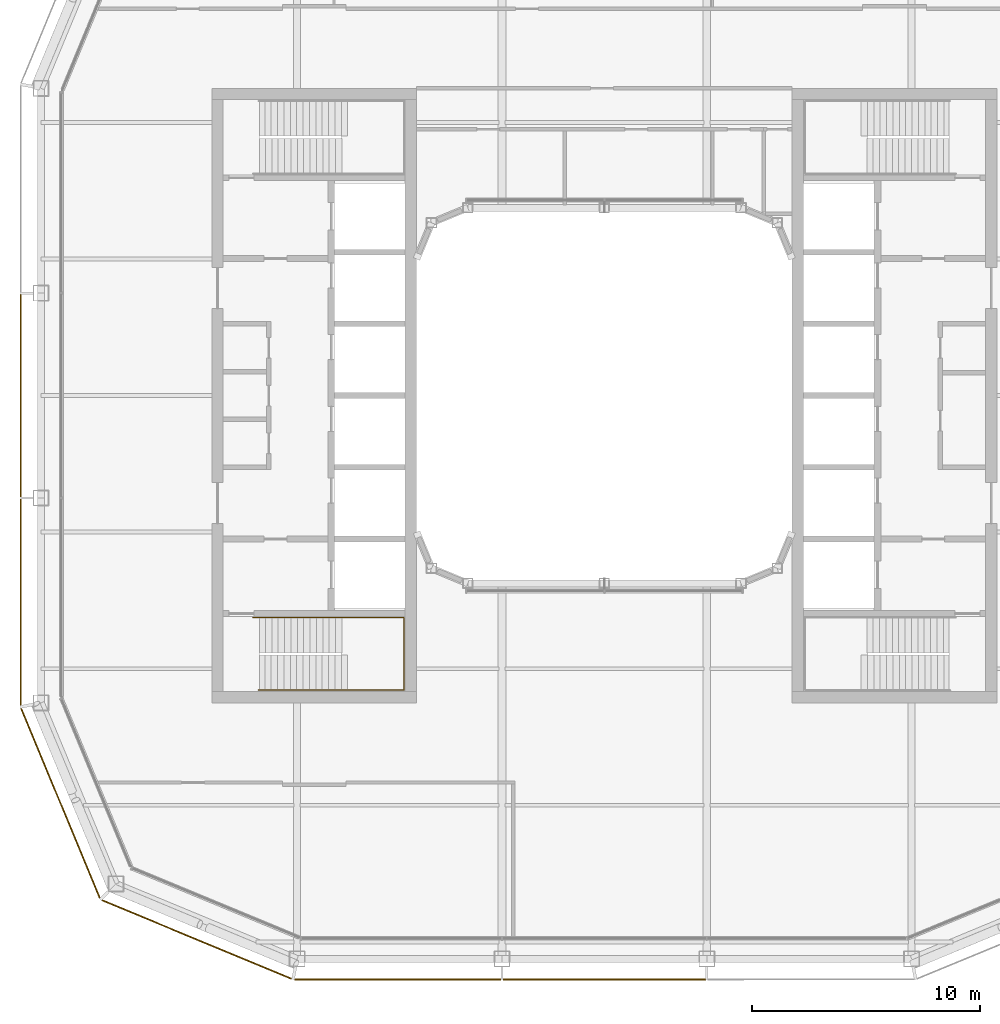
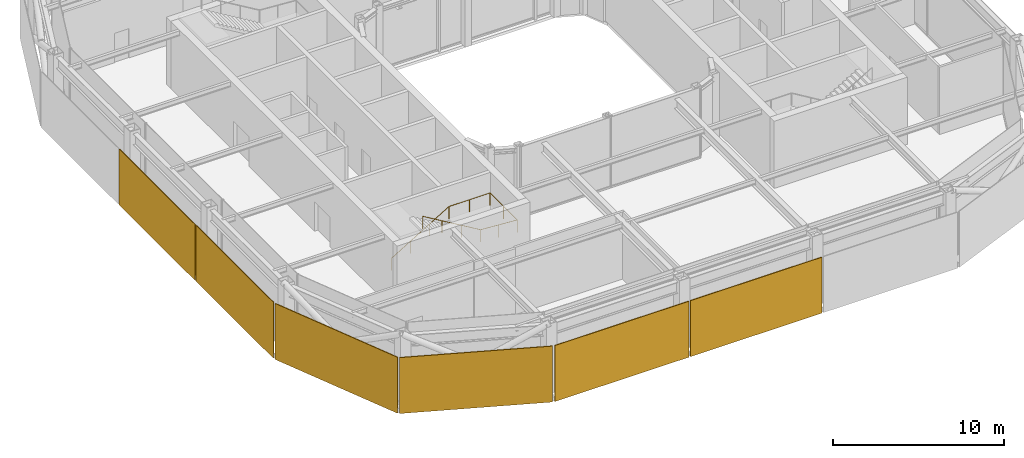
# One storey, part 14 of 17: 6 coverings, 1 railing.
"""IFC4 building model written with IfcOpenShell, lengths in metres."""

import ifcopenshell
import ifcopenshell.guid

model = None  # the IFC model being written
_history = None  # IfcOwnerHistory: only IFC2X3 demands one
_inside = {}  # id of a spatial element -> (the spatial element, [elements in it])
_under = {}  # id of a project, library or spatial element -> (it, [spatial elements below it])
_declared = {}  # id of a project -> (the project, [libraries it declares])
_typed = {}  # id of a type object -> (the type object, [elements of that type])
_made_of = {}  # id of a material, layer set ... -> (it, [elements and type objects made of it])


def new_model(schema):
    """Start an empty IFC model of exactly this schema.

    Asked for "IFC4X3", IfcOpenShell would pick the latest addendum, in which some entities
    have other attributes; the version numbers below select the first issue.
    IFC2X3 requires an IfcOwnerHistory on every rooted entity: one is made here for all.
    """
    global model, _history
    if schema == "IFC4X3":
        model = ifcopenshell.file(schema_version=(4, 3, 0, 0))
    else:
        model = ifcopenshell.file(schema=schema)
    _inside.clear()
    _under.clear()
    _declared.clear()
    _typed.clear()
    _made_of.clear()
    _history = None
    if model.schema == "IFC2X3":
        org = make("IfcOrganization", Name="unknown")
        user = make(
            "IfcPersonAndOrganization",
            ThePerson=make("IfcPerson", FamilyName="unknown"),
            TheOrganization=org,
        )
        app = make(
            "IfcApplication",
            ApplicationDeveloper=org,
            Version="unknown",
            ApplicationFullName="unknown",
            ApplicationIdentifier="unknown",
        )
        _history = make(
            "IfcOwnerHistory",
            OwningUser=user,
            OwningApplication=app,
            ChangeAction="ADDED",
            CreationDate=0,
        )
    return model


def make(cls, **values):
    """One entity of the class cls with the attributes given. An attribute that is None is left unset."""
    return model.create_entity(
        cls, **{name: value for name, value in values.items() if value is not None}
    )


def rooted(cls, **values):
    """An entity with a GlobalId (a new one), such as an element, a storey or a relation."""
    return make(cls, GlobalId=ifcopenshell.guid.new(), OwnerHistory=_history, **values)


def si_unit(unit_type, name, prefix=None):
    """IfcSIUnit, for example si_unit("LENGTHUNIT", "METRE", prefix="MILLI")."""
    return make("IfcSIUnit", UnitType=unit_type, Prefix=prefix, Name=name)


def assignment(units):
    """IfcUnitAssignment: the units of a project."""
    return None if units is None else make("IfcUnitAssignment", Units=units)


def point(xyz):
    """IfcCartesianPoint."""
    return None if xyz is None else make("IfcCartesianPoint", Coordinates=xyz)


def direction(xyz):
    """IfcDirection."""
    return None if xyz is None else make("IfcDirection", DirectionRatios=xyz)


def frame(location, z_axis=None, x_axis=None):
    """IfcAxis2Placement3D, a coordinate frame: its origin and axes. An axis left out is left unset."""
    return make(
        "IfcAxis2Placement3D",
        Location=point(location),
        Axis=direction(z_axis),
        RefDirection=direction(x_axis),
    )


def frame_2d(location, x_axis=None):
    """IfcAxis2Placement2D, a coordinate frame in the plane: its origin and x axis."""
    return make(
        "IfcAxis2Placement2D", Location=point(location), RefDirection=direction(x_axis)
    )


def origin():
    """The frame at (0, 0, 0) with its axes left unset."""
    return frame((0.0, 0.0, 0.0))


def origin_2d():
    """The frame at (0, 0) in the plane with its x axis left unset."""
    return frame_2d((0.0, 0.0))


def place(relative_to, where):
    """IfcLocalPlacement: puts the frame where relative to a parent placement (None: the world)."""
    return make(
        "IfcLocalPlacement", PlacementRelTo=relative_to, RelativePlacement=where
    )


def context(
    kind, dimensions, precision=None, world=None, true_north=None, identifier=None
):
    """IfcGeometricRepresentationContext, for example the 3D "Model" context."""
    return make(
        "IfcGeometricRepresentationContext",
        ContextIdentifier=identifier,
        ContextType=kind,
        CoordinateSpaceDimension=dimensions,
        Precision=precision,
        WorldCoordinateSystem=world,
        TrueNorth=true_north,
    )


def subcontext(parent, identifier, kind, view, scale=None):
    """IfcGeometricRepresentationSubContext, for example "Body" below "Model"."""
    return make(
        "IfcGeometricRepresentationSubContext",
        ContextIdentifier=identifier,
        ContextType=kind,
        ParentContext=parent,
        TargetScale=scale,
        TargetView=view,
    )


def project(units=None, contexts=None):
    """IfcProject with its units and contexts."""
    return rooted(
        "IfcProject",
        Name="project",
        RepresentationContexts=contexts,
        UnitsInContext=assignment(units),
    )


def spatial(cls, under=None, at=None, **own):
    """A site, building, storey or space (cls), placed at a placement, below another one or the project."""
    s = rooted(cls, ObjectPlacement=at, **own)
    if under is not None:
        _under.setdefault(under.id(), (under, []))[1].append(s)
    return s


def profile(cls, at=None, kind="AREA", **sizes):
    """A parametric profile (cls). Its sizes go by their IFC names, for example OverallWidth=200.0."""
    return make(cls, ProfileType=kind, Position=at, **sizes)


def rectangle(**sizes):
    """IfcRectangleProfileDef."""
    return profile("IfcRectangleProfileDef", **sizes)


def circle(**sizes):
    """IfcCircleProfileDef."""
    return profile("IfcCircleProfileDef", **sizes)


def extrude(swept, where, along, depth):
    """IfcExtrudedAreaSolid: the profile swept, set in the frame where, extruded along a direction by depth."""
    return make(
        "IfcExtrudedAreaSolid",
        SweptArea=swept,
        Position=where,
        ExtrudedDirection=direction(along),
        Depth=depth,
    )


def shape(context_of_items, identifier, shape_type, items):
    """IfcShapeRepresentation: the items that make up one representation, for example the "Body"."""
    return make(
        "IfcShapeRepresentation",
        ContextOfItems=context_of_items,
        RepresentationIdentifier=identifier,
        RepresentationType=shape_type,
        Items=items,
    )


def material(Name=None, Category=None):
    """IfcMaterial."""
    return make("IfcMaterial", Name=Name, Category=Category)


def layer(
    of_material, thickness, ventilated=None, Name=None, Category=None, Priority=None
):
    """IfcMaterialLayer: one layer of a wall or slab, of a material (None: an air gap)."""
    return make(
        "IfcMaterialLayer",
        Material=of_material,
        LayerThickness=thickness,
        IsVentilated=ventilated,
        Name=Name,
        Category=Category,
        Priority=Priority,
    )


def layer_set(layers, Name=None):
    """IfcMaterialLayerSet."""
    return make("IfcMaterialLayerSet", MaterialLayers=layers, LayerSetName=Name)


def made_of(thing, what):
    """Note that an element or type object is made of a material, layer set ...; save() writes the relation."""
    if what is not None:
        _made_of.setdefault(what.id(), (what, []))[1].append(thing)
    return thing


def type_object(cls, material=None, **own):
    """A type object (cls), such as IfcWallType, which elements share."""
    return made_of(rooted(cls, **own), material)


def element(
    cls,
    number,
    at=None,
    inside=None,
    cuts=None,
    type_object=None,
    material=None,
    context=None,
    identifier="Body",
    shape_type=None,
    held_by="IfcProductDefinitionShape",
    body=None,
    shapes=None,
    **own,
):
    """One element of the class cls, such as IfcWall. Its Tag is "e" and its number.

    at: its placement. inside: the storey or other place that contains it. cuts: it is an
    opening in that element (IfcRelVoidsElement). A single representation is given by context,
    identifier, shape_type and body (its items); several are given by shapes. held_by: the class
    of the entity that holds the representations. save() writes the other relations.
    """
    e = rooted(cls, Tag="e%d" % number, ObjectPlacement=at, **own)
    if body is not None:
        shapes = [shape(context, identifier, shape_type, body)]
    if shapes is not None:
        e.Representation = make(held_by, Representations=shapes)
    if inside is not None:
        _inside.setdefault(inside.id(), (inside, []))[1].append(e)
    if cuts is not None:
        rooted(
            "IfcRelVoidsElement", RelatingBuildingElement=cuts, RelatedOpeningElement=e
        )
    if type_object is not None:
        _typed.setdefault(type_object.id(), (type_object, []))[1].append(e)
    return made_of(e, material)


def aggregate(whole, parts):
    """IfcRelAggregates: a whole, such as a stair, and the parts it consists of."""
    return rooted("IfcRelAggregates", RelatingObject=whole, RelatedObjects=parts)


def save(model, path):
    """Write the relations noted so far, then the file.

    IfcRelAggregates (storeys below a building ...), IfcRelContainedInSpatialStructure (elements
    in a storey), IfcRelDefinesByType, IfcRelAssociatesMaterial and IfcRelDeclares: one each for
    every whole, place, type object, material and project.
    """
    for whole, parts in _under.values():
        aggregate(whole, parts)
    for where, things in _inside.values():
        rooted(
            "IfcRelContainedInSpatialStructure",
            RelatedElements=things,
            RelatingStructure=where,
        )
    for kind, things in _typed.values():
        rooted("IfcRelDefinesByType", RelatedObjects=things, RelatingType=kind)
    for what, things in _made_of.values():
        rooted("IfcRelAssociatesMaterial", RelatedObjects=things, RelatingMaterial=what)
    for by, libraries in _declared.values():
        rooted("IfcRelDeclares", RelatingContext=by, RelatedDefinitions=libraries)
    model.write(path)


model = new_model("IFC4")

# Units and contexts
model_context = context("Model", 3, precision=1e-05, world=origin(), true_north=direction((0.0, 1.0)))
body_context = subcontext(model_context, "Body", "Model", "MODEL_VIEW")
ifc_project = project(units=[si_unit("LENGTHUNIT", "METRE"), si_unit("AREAUNIT", "SQUARE_METRE"), si_unit("VOLUMEUNIT", "CUBIC_METRE"), si_unit("PLANEANGLEUNIT", "RADIAN"), si_unit("MASSUNIT", "GRAM", prefix="KILO")], contexts=[model_context])

# Site, building, storey
site_placement = place(None, origin())
site = spatial("IfcSite", under=ifc_project, at=site_placement, CompositionType="ELEMENT")
building_placement = place(site_placement, origin())
building = spatial("IfcBuilding", under=site, at=building_placement, Name="Siwar Civic Tower", CompositionType="ELEMENT")
storey_placement = place(building_placement, frame((0.0, 0.0, 353.199951171875)))
storey = spatial("IfcBuildingStorey", under=building, at=storey_placement, Name="L76", CompositionType="ELEMENT", Elevation=353.199951171875)

# Railing
ifc_material_1 = material(Name="Stainless steel", Category="steel")
railing_type = type_object("IfcRailingType", Name="CORE-STAIR-HANDRAIL", PredefinedType="HANDRAIL", material=ifc_material_1)
railing_placement = place(storey_placement, frame((-15.449951171875, -9.758056640625, 0.166748046875)))
element("IfcRailing", 1, at=railing_placement, inside=storey, type_object=railing_type, Name="Stair handrail ST2", PredefinedType="HANDRAIL", context=body_context, shape_type="SweptSolid", body=[
    extrude(circle(Radius=0.02001953125, at=origin_2d()), frame((0.0, 0.0, 0.8798828125), z_axis=(0.856384976194, 0.0, 0.516337847296), x_axis=(0.0, 1.0, 0.0)), (0.0, 0.0, 1.0), 4.518798828125),
    extrude(circle(Radius=0.02001953125, at=origin_2d()), frame((3.869873046875, 0.0, 3.213134765625), z_axis=(1.0, 0.0, 0.0), x_axis=(0.0, 1.0, 0.0)), (0.0, 0.0, 1.0), 2.77197265625),
    extrude(circle(Radius=0.02001953125, at=origin_2d()), frame((6.641845703125, 0.0, 3.213134765625), z_axis=(0.0, -1.0, 0.0), x_axis=(1.0, 0.0, 0.0)), (0.0, 0.0, 1.0), 3.183837890625),
    extrude(circle(Radius=0.02001953125, at=origin_2d()), frame((6.641845703125, -3.183837890625, 3.213134765625), z_axis=(-0.997732526271, 0.0, 0.067303833624), x_axis=(0.0, -1.0, 0.0)), (0.0, 0.0, 1.0), 2.4775390625),
    extrude(circle(Radius=0.02001953125, at=origin_2d()), frame((4.169921875, -3.183837890625, 3.3798828125), z_axis=(-0.859296244711, 0.0, 0.511478214419), x_axis=(0.0, -1.0, 0.0)), (0.0, 0.0, 1.0), 4.561767578125),
    extrude(circle(Radius=0.02001953125, at=origin_2d()), origin(), (0.0, 0.0, 1.0), 0.85986328125),
    extrude(circle(Radius=0.02001953125, at=origin_2d()), frame((1.2900390625, 0.0, 0.77783203125)), (0.0, 0.0, 1.0), 0.85986328125),
    extrude(circle(Radius=0.02001953125, at=origin_2d()), frame((2.579833984375, 0.0, 1.555419921875)), (0.0, 0.0, 1.0), 0.85986328125),
    extrude(circle(Radius=0.02001953125, at=origin_2d()), frame((3.869873046875, 0.0, 2.333251953125)), (0.0, 0.0, 1.0), 0.85986328125),
    extrude(circle(Radius=0.02001953125, at=origin_2d()), frame((5.255859375, 0.0, 2.333251953125)), (0.0, 0.0, 1.0), 0.85986328125),
    extrude(circle(Radius=0.02001953125, at=origin_2d()), frame((6.641845703125, 0.0, 2.333251953125)), (0.0, 0.0, 1.0), 0.85986328125),
    extrude(circle(Radius=0.02001953125, at=origin_2d()), frame((6.641845703125, -1.591796875, 2.333251953125)), (0.0, 0.0, 1.0), 0.85986328125),
    extrude(circle(Radius=0.02001953125, at=origin_2d()), frame((6.641845703125, -3.183837890625, 2.333251953125)), (0.0, 0.0, 1.0), 0.85986328125),
    extrude(circle(Radius=0.02001953125, at=origin_2d()), frame((5.40576171875, -3.183837890625, 2.41650390625)), (0.0, 0.0, 1.0), 0.85986328125),
    extrude(circle(Radius=0.02001953125, at=origin_2d()), frame((4.169921875, -3.183837890625, 2.5)), (0.0, 0.0, 1.0), 0.85986328125),
    extrude(circle(Radius=0.02001953125, at=origin_2d()), frame((2.86328125, -3.183837890625, 3.27783203125)), (0.0, 0.0, 1.0), 0.85986328125),
    extrude(circle(Radius=0.02001953125, at=origin_2d()), frame((1.556640625, -3.183837890625, 4.055419921875)), (0.0, 0.0, 1.0), 0.85986328125),
    extrude(circle(Radius=0.02001953125, at=origin_2d()), frame((0.25, -3.183837890625, 4.833251953125)), (0.0, 0.0, 1.0), 0.85986328125),
])

# Coverings
ifc_material_2 = material(Name="Perforated aluminium cassette, pale metal", Category="aluminium")
ifc_layer_1 = layer(ifc_material_2, 0.050048828125)
ifc_layer_set_1 = layer_set([ifc_layer_1], Name="Perforated aluminium cassette, pale metal")
covering_type_1 = type_object("IfcCoveringType", Name="ENV-OUTER SKIN OS-3", PredefinedType="CLADDING", material=ifc_layer_set_1)
covering_1_placement = place(storey_placement, frame((-25.64990234375, 0.0, -0.199951171875), z_axis=(0.0, 0.0, 1.0), x_axis=(0.0, -1.0, 0.0)))
element("IfcCovering", 2, at=covering_1_placement, inside=storey, type_object=covering_type_1, Name="OUTER SKIN OS-3 W 2", PredefinedType="CLADDING", context=body_context, shape_type="SweptSolid", body=[
    extrude(rectangle(XDim=8.89990234375, YDim=0.050048828125, at=origin_2d()), origin(), (0.0, 0.0, 1.0), 4.0),
])
covering_2_placement = place(storey_placement, frame((-25.64990234375, -9.07958984375, -0.199951171875), z_axis=(0.0, 0.0, 1.0), x_axis=(0.0, -1.0, 0.0)))
element("IfcCovering", 3, at=covering_2_placement, inside=storey, type_object=covering_type_1, Name="OUTER SKIN OS-3 W 3", PredefinedType="CLADDING", context=body_context, shape_type="SweptSolid", body=[
    extrude(rectangle(XDim=9.05908203125, YDim=0.050048828125, at=origin_2d()), origin(), (0.0, 0.0, 1.0), 4.0),
])
ifc_material_3 = material(Name="Perforated aluminium cassette, pale metal", Category="aluminium")
ifc_layer_2 = layer(ifc_material_3, 0.054931640625)
ifc_layer_set_2 = layer_set([ifc_layer_2], Name="Perforated aluminium cassette, pale metal")
covering_type_2 = type_object("IfcCoveringType", Name="ENV-OUTER SKIN OS-4", PredefinedType="CLADDING", material=ifc_layer_set_2)
covering_3_placement = place(storey_placement, frame((-9.07958984375, -25.64990234375, -0.199951171875), z_axis=(0.0, 0.0, 1.0), x_axis=(1.0, 0.0, 0.0)))
element("IfcCovering", 4, at=covering_3_placement, inside=storey, type_object=covering_type_2, Name="OUTER SKIN OS-4 S 1", PredefinedType="CLADDING", context=body_context, shape_type="SweptSolid", body=[
    extrude(rectangle(XDim=9.05908203125, YDim=0.054931640625, at=origin_2d()), origin(), (0.0, 0.0, 1.0), 4.0),
])
covering_4_placement = place(storey_placement, frame((0.0, -25.64990234375, -0.199951171875), z_axis=(0.0, 0.0, 1.0), x_axis=(1.0, 0.0, 0.0)))
element("IfcCovering", 5, at=covering_4_placement, inside=storey, type_object=covering_type_2, Name="OUTER SKIN OS-4 S 2", PredefinedType="CLADDING", context=body_context, shape_type="SweptSolid", body=[
    extrude(rectangle(XDim=8.89990234375, YDim=0.054931640625, at=origin_2d()), origin(), (0.0, 0.0, 1.0), 4.0),
])
for number, where, z_axis, x_axis, name in (
    (6, (-23.89697265625, -17.911376953125, -0.199951171875), (0.0, 0.0, 1.0), (0.382683432365, -0.923879532511, 0.0), "OUTER SKIN OS-4 SW1 1"),
    (7, (-17.911376953125, -23.89697265625, -0.199951171875), (0.0, 0.0, 1.0), (0.923879532511, -0.382683432365, 0.0), "OUTER SKIN OS-4 SW2 1"),
):
    element("IfcCovering", number, at=place(storey_placement, frame(where, z_axis=z_axis, x_axis=x_axis)), inside=storey, type_object=covering_type_2, Name=name, PredefinedType="CLADDING", context=body_context, shape_type="SweptSolid", body=[
        extrude(rectangle(XDim=9.022216796875, YDim=0.054931640625, at=origin_2d()), origin(), (0.0, 0.0, 1.0), 4.0),
    ])

save(model, "model.ifc")
